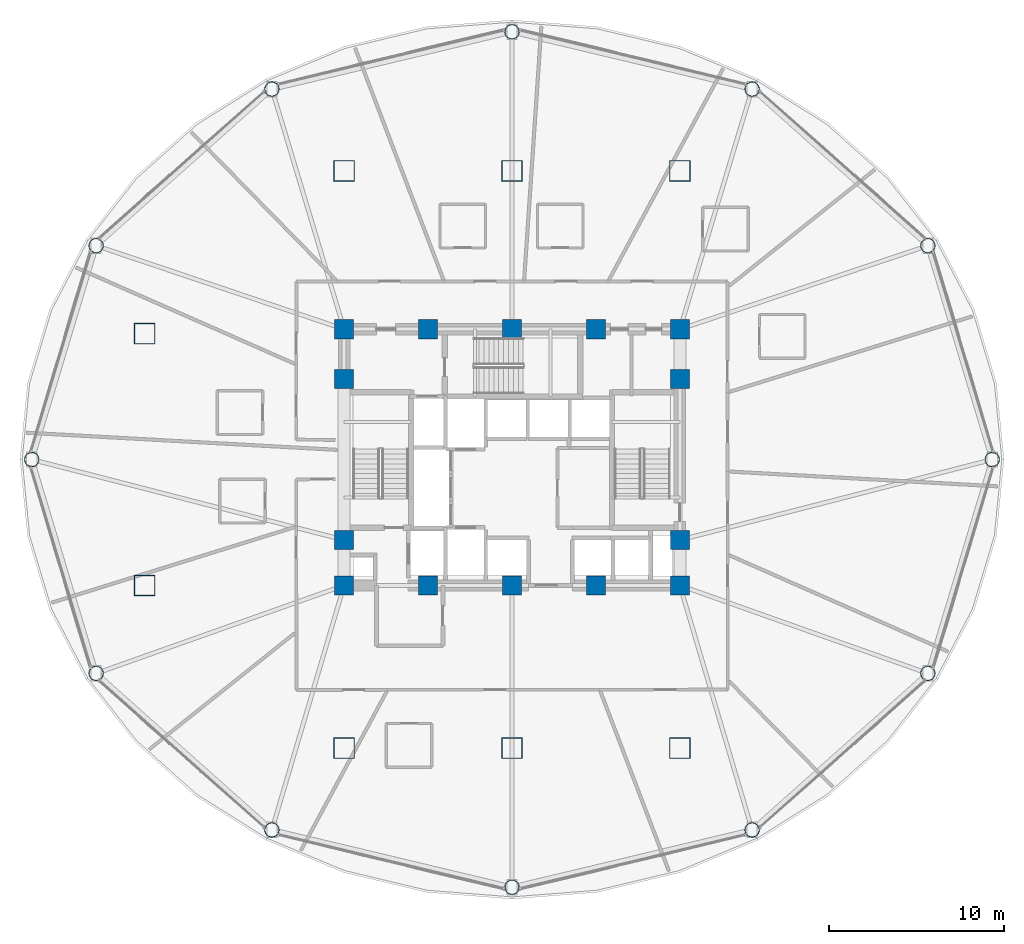
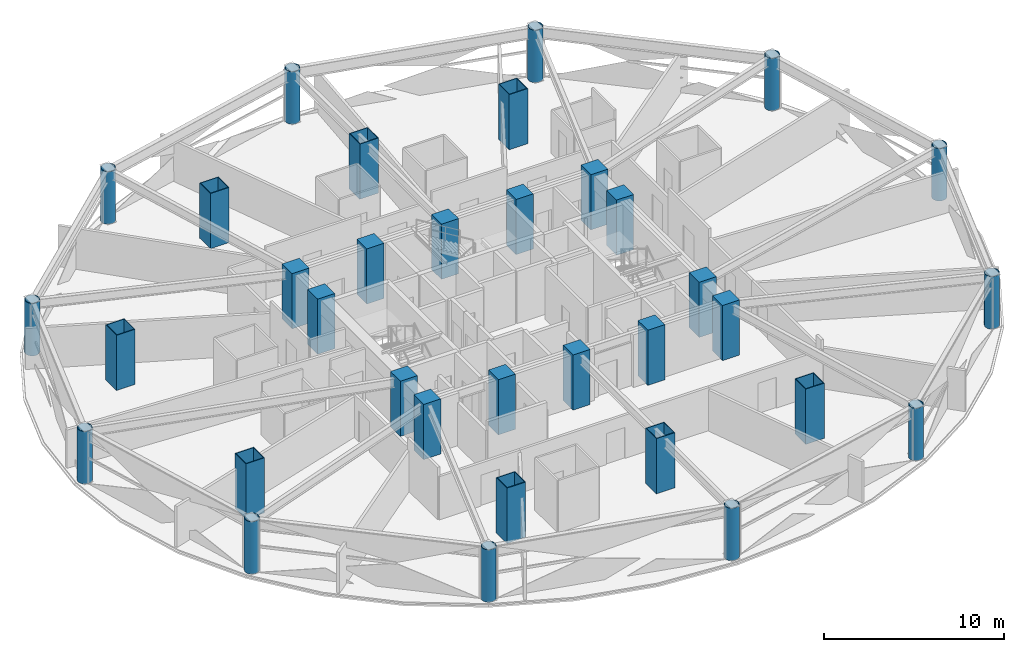
# One storey, part 1 of 29: 34 columns.
"""IFC4 building model written with IfcOpenShell, lengths in metres."""

from ifc_helpers import new_model, si_unit, direction, frame, origin, origin_2d, place, context, subcontext, project, spatial, rectangle, hollow_rectangle, hollow_circle, extrude, material, material_profile, profile_set, type_object, element, save


model = new_model("IFC4")

# Units and contexts
model_context = context("Model", 3, precision=1e-05, world=origin(), true_north=direction((0.0, 1.0)))
body_context = subcontext(model_context, "Body", "Model", "MODEL_VIEW")
ifc_project = project(units=[si_unit("LENGTHUNIT", "METRE"), si_unit("AREAUNIT", "SQUARE_METRE"), si_unit("VOLUMEUNIT", "CUBIC_METRE"), si_unit("PLANEANGLEUNIT", "RADIAN"), si_unit("MASSUNIT", "GRAM", prefix="KILO")], contexts=[model_context])

# Site, building, storey
site_placement = place(None, origin())
site = spatial("IfcSite", under=ifc_project, at=site_placement, CompositionType="ELEMENT")
building_placement = place(site_placement, origin())
building = spatial("IfcBuilding", under=site, at=building_placement, Name="Vantalir Tower", CompositionType="ELEMENT")
storey_placement = place(building_placement, frame((0.0, 0.0, 60.75)))
storey = spatial("IfcBuildingStorey", under=building, at=storey_placement, Name="L14", CompositionType="ELEMENT", Elevation=60.75)

# Columns
ifc_material_1 = material(Name="Concrete C60/75", Category="concrete")
ifc_material_profile_1 = material_profile(ifc_material_1, rectangle(XDim=1.10009765625, YDim=1.10009765625, at=origin_2d()), Name="Concrete C60/75")
ifc_profile_set_1 = profile_set([ifc_material_profile_1], Name="Concrete C60/75")
column_type_1 = type_object("IfcColumnType", Name="COL-CC-1100", PredefinedType="COLUMN", material=ifc_profile_set_1)
for number, where, z_axis, x_axis, name in (
    (1, (21.89990234375, 17.800048828125, 0.0), (0.0, 0.0, 1.0), (1.0, 0.0, 0.0), "L14 Core Column CC01"),
    (2, (26.699951171875, 17.800048828125, 0.0), (0.0, 0.0, 1.0), (1.0, 0.0, 0.0), "L14 Core Column CC02"),
    (3, (31.5, 17.800048828125, 0.0), (0.0, 0.0, 1.0), (1.0, 0.0, 0.0), "L14 Core Column CC03"),
    (4, (36.300048828125, 17.800048828125, 0.0), (0.0, 0.0, 1.0), (1.0, 0.0, 0.0), "L14 Core Column CC04"),
    (5, (41.10009765625, 17.800048828125, 0.0), (0.0, 0.0, 1.0), (1.0, 0.0, 0.0), "L14 Core Column CC05"),
    (6, (21.89990234375, 20.39990234375, 0.0), (0.0, 0.0, 1.0), (1.0, 0.0, 0.0), "L14 Core Column CC06"),
    (7, (21.89990234375, 29.60009765625, 0.0), (0.0, 0.0, 1.0), (1.0, 0.0, 0.0), "L14 Core Column CC07"),
    (8, (41.10009765625, 20.39990234375, 0.0), (0.0, 0.0, 1.0), (1.0, 0.0, 0.0), "L14 Core Column CC08"),
    (9, (41.10009765625, 29.60009765625, 0.0), (0.0, 0.0, 1.0), (1.0, 0.0, 0.0), "L14 Core Column CC09"),
    (10, (21.89990234375, 32.449951171875, 0.0), (0.0, 0.0, 1.0), (1.0, 0.0, 0.0), "L14 Core Column CC10"),
    (11, (26.699951171875, 32.449951171875, 0.0), (0.0, 0.0, 1.0), (1.0, 0.0, 0.0), "L14 Core Column CC11"),
    (12, (31.5, 32.449951171875, 0.0), (0.0, 0.0, 1.0), (1.0, 0.0, 0.0), "L14 Core Column CC12"),
    (13, (36.300048828125, 32.449951171875, 0.0), (0.0, 0.0, 1.0), (1.0, 0.0, 0.0), "L14 Core Column CC13"),
    (14, (41.10009765625, 32.449951171875, 0.0), (0.0, 0.0, 1.0), (1.0, 0.0, 0.0), "L14 Core Column CC14"),
):
    element("IfcColumn", number, at=place(storey_placement, frame(where, z_axis=z_axis, x_axis=x_axis)), inside=storey, type_object=column_type_1, Name=name, PredefinedType="COLUMN", context=body_context, shape_type="SweptSolid", body=[
        extrude(rectangle(XDim=1.10009765625, YDim=1.10009765625, at=origin_2d()), origin(), (0.0, 0.0, 1.0), 3.75),
    ])
ifc_material_2 = material(Name="Steel S460", Category="steel")
ifc_material_profile_2 = material_profile(ifc_material_2, hollow_rectangle(XDim=1.199951171875, YDim=1.199951171875, WallThickness=0.044921875, at=origin_2d()), Name="Steel S460")
ifc_profile_set_2 = profile_set([ifc_material_profile_2], Name="Steel S460")
column_type_2 = type_object("IfcColumnType", Name="COL-MC-1200", PredefinedType="COLUMN", material=ifc_profile_set_2)
for number, where, z_axis, x_axis, name in (
    (15, (21.89990234375, 8.5, 0.0), (0.0, 0.0, 1.0), (1.0, 0.0, 0.0), "L14 S460 Mega-Column MC01"),
    (16, (31.5, 8.5, 0.0), (0.0, 0.0, 1.0), (1.0, 0.0, 0.0), "L14 S460 Mega-Column MC02"),
    (17, (41.10009765625, 8.5, 0.0), (0.0, 0.0, 1.0), (1.0, 0.0, 0.0), "L14 S460 Mega-Column MC03"),
    (18, (10.5, 17.800048828125, 0.0), (0.0, 0.0, 1.0), (1.0, 0.0, 0.0), "L14 S460 Mega-Column MC04"),
    (19, (10.5, 32.199951171875, 0.0), (0.0, 0.0, 1.0), (1.0, 0.0, 0.0), "L14 S460 Mega-Column MC05"),
    (20, (21.89990234375, 41.5, 0.0), (0.0, 0.0, 1.0), (1.0, 0.0, 0.0), "L14 S460 Mega-Column MC06"),
    (21, (31.5, 41.5, 0.0), (0.0, 0.0, 1.0), (1.0, 0.0, 0.0), "L14 S460 Mega-Column MC07"),
    (22, (41.10009765625, 41.5, 0.0), (0.0, 0.0, 1.0), (1.0, 0.0, 0.0), "L14 S460 Mega-Column MC08"),
):
    element("IfcColumn", number, at=place(storey_placement, frame(where, z_axis=z_axis, x_axis=x_axis)), inside=storey, type_object=column_type_2, Name=name, PredefinedType="COLUMN", context=body_context, shape_type="SweptSolid", body=[
        extrude(hollow_rectangle(XDim=1.199951171875, YDim=1.199951171875, WallThickness=0.044921875, at=origin_2d()), origin(), (0.0, 0.0, 1.0), 3.75),
    ])
ifc_material_profile_3 = material_profile(ifc_material_2, hollow_circle(Radius=0.425048828125, WallThickness=0.0400390625, at=origin_2d()), Name="Steel S460")
ifc_profile_set_3 = profile_set([ifc_material_profile_3], Name="Steel S460")
column_type_3 = type_object("IfcColumnType", Name="COL-RC-850", PredefinedType="COLUMN", material=ifc_profile_set_3)
for number, where, z_axis, x_axis, name in (
    (23, (58.950927734375, 25.0, 0.0), (0.0, 0.0, 1.0), (1.0, 0.0, 0.0), "L14 Perimeter Ring Column RC01"),
    (24, (55.27294921875, 37.22509765625, 0.0), (0.0, 0.0, 1.0), (1.0, 0.0, 0.0), "L14 Perimeter Ring Column RC02"),
    (25, (45.22607421875, 46.175048828125, 0.0), (0.0, 0.0, 1.0), (1.0, 0.0, 0.0), "L14 Perimeter Ring Column RC03"),
    (26, (31.5, 49.450927734375, 0.0), (0.0, 0.0, 1.0), (1.0, 0.0, 0.0), "L14 Perimeter Ring Column RC04"),
    (27, (17.77490234375, 46.175048828125, 0.0), (0.0, 0.0, 1.0), (1.0, 0.0, 0.0), "L14 Perimeter Ring Column RC05"),
    (28, (7.72705078125, 37.22509765625, 0.0), (0.0, 0.0, 1.0), (1.0, 0.0, 0.0), "L14 Perimeter Ring Column RC06"),
    (29, (4.049072265625, 25.0, 0.0), (0.0, 0.0, 1.0), (1.0, 0.0, 0.0), "L14 Perimeter Ring Column RC07"),
    (30, (7.72705078125, 12.77392578125, 0.0), (0.0, 0.0, 1.0), (1.0, 0.0, 0.0), "L14 Perimeter Ring Column RC08"),
    (31, (17.77392578125, 3.824951171875, 0.0), (0.0, 0.0, 1.0), (1.0, 0.0, 0.0), "L14 Perimeter Ring Column RC09"),
    (32, (31.5, 0.549072265625, 0.0), (0.0, 0.0, 1.0), (1.0, 0.0, 0.0), "L14 Perimeter Ring Column RC10"),
    (33, (45.22607421875, 3.824951171875, 0.0), (0.0, 0.0, 1.0), (1.0, 0.0, 0.0), "L14 Perimeter Ring Column RC11"),
    (34, (55.27294921875, 12.77392578125, 0.0), (0.0, 0.0, 1.0), (1.0, 0.0, 0.0), "L14 Perimeter Ring Column RC12"),
):
    element("IfcColumn", number, at=place(storey_placement, frame(where, z_axis=z_axis, x_axis=x_axis)), inside=storey, type_object=column_type_3, Name=name, PredefinedType="COLUMN", context=body_context, shape_type="SweptSolid", body=[
        extrude(hollow_circle(Radius=0.425048828125, WallThickness=0.0400390625, at=origin_2d()), origin(), (0.0, 0.0, 1.0), 3.570068359375),
    ])

save(model, "model.ifc")
